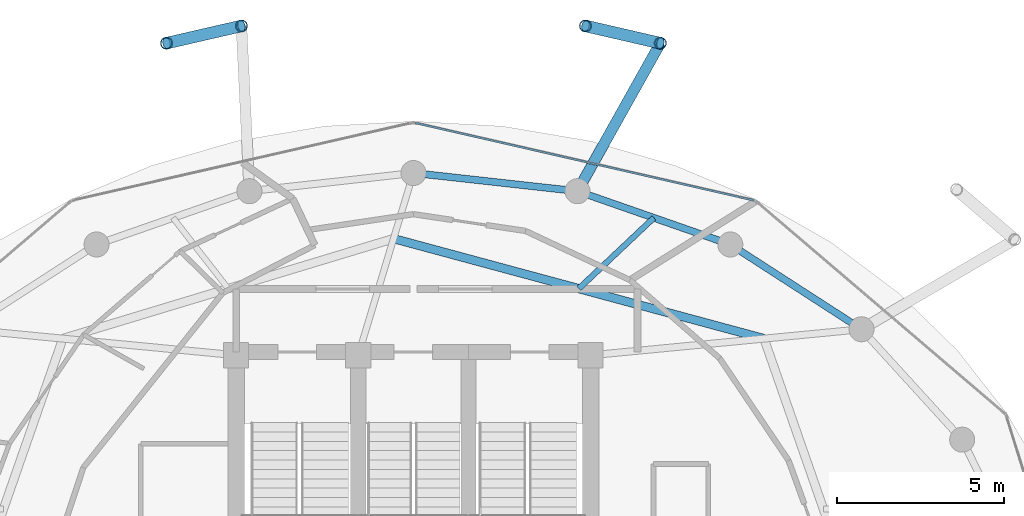
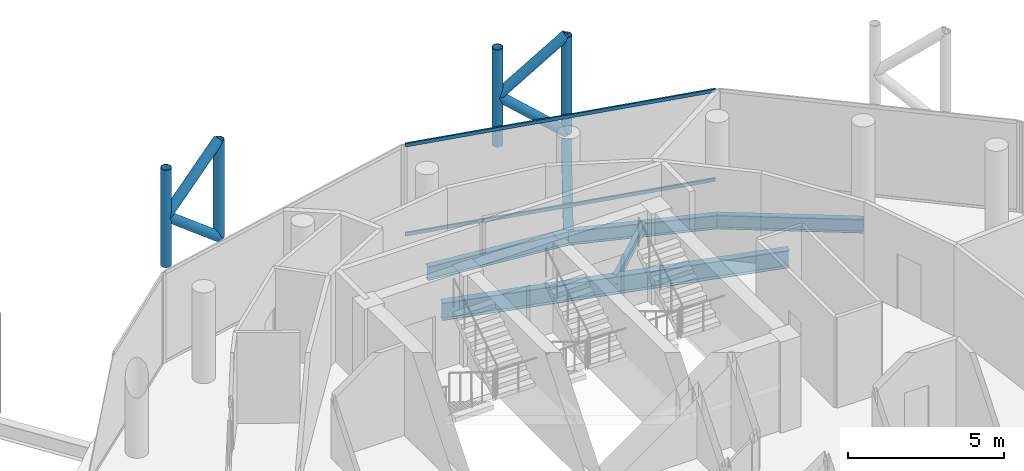
# One storey, part 17 of 24: 10 members, 6 beams, 1 element without a shape of its own.
"""IFC4 building model written with IfcOpenShell, lengths in metres."""

from ifc_helpers import new_model, si_unit, direction, frame, origin, origin_2d, place, context, subcontext, project, spatial, hollow_rectangle, hollow_circle, i_section, extrude, material, layer, layer_set, material_profile, profile_set, type_object, element, aggregate, save


model = new_model("IFC4")

# Units and contexts
model_context = context("Model", 3, precision=1e-05, world=origin(), true_north=direction((0.0, 1.0)))
body_context = subcontext(model_context, "Body", "Model", "MODEL_VIEW")
ifc_project = project(units=[si_unit("LENGTHUNIT", "METRE"), si_unit("AREAUNIT", "SQUARE_METRE"), si_unit("VOLUMEUNIT", "CUBIC_METRE"), si_unit("PLANEANGLEUNIT", "RADIAN"), si_unit("MASSUNIT", "GRAM", prefix="KILO")], contexts=[model_context])

# Site, building, storey
site_placement = place(None, origin())
site = spatial("IfcSite", under=ifc_project, at=site_placement, CompositionType="ELEMENT")
building_placement = place(site_placement, origin())
building = spatial("IfcBuilding", under=site, at=building_placement, Name="Nuhasar Tower", CompositionType="ELEMENT")
storey_placement = place(building_placement, frame((0.0, 0.0, 282.199951171875)))
storey = spatial("IfcBuildingStorey", under=building, at=storey_placement, Name="L70", CompositionType="ELEMENT", Elevation=282.199951171875)

# Beams
ifc_material_1 = material(Name="Steel S355", Category="steel")
ifc_material_profile_1 = material_profile(ifc_material_1, i_section(OverallWidth=0.25390625, OverallDepth=0.68408203125, WebThickness=0.012451171875, FlangeThickness=0.018798828125, at=origin_2d()), Name="W27X94")
ifc_profile_set_1 = profile_set([ifc_material_profile_1], Name="Steel S355")
beam_type_1 = type_object("IfcBeamType", Name="BM-INRING-W27X94", PredefinedType="BEAM", material=ifc_profile_set_1)
beam_1_placement = place(storey_placement, frame((49.48388671875, 37.798095703125, -0.60205078125), z_axis=(-0.965451835482, 0.260581567584, 0.0), x_axis=(-0.260581567584, -0.965451835482, 0.0)))
element("IfcBeam", 1, at=beam_1_placement, inside=storey, type_object=beam_type_1, Name="L70 Inner Header Beam 05", PredefinedType="BEAM", context=body_context, shape_type="SweptSolid", body=[
    extrude(i_section(OverallWidth=0.25390625, OverallDepth=0.68408203125, WebThickness=0.012451171875, FlangeThickness=0.018798828125, at=origin_2d()), origin(), (0.0, 0.0, 1.0), 11.474365234375),
])
ifc_material_profile_2 = material_profile(ifc_material_1, i_section(OverallWidth=0.1708984375, OverallDepth=0.35205078125, WebThickness=0.0068359375, FlangeThickness=0.009765625, at=origin_2d()), Name="W14X30")
ifc_profile_set_2 = profile_set([ifc_material_profile_2], Name="Steel S355")
beam_type_2 = type_object("IfcBeamType", Name="BM-JST-W14X30", PredefinedType="JOIST", material=ifc_profile_set_2)
beam_2_placement = place(storey_placement, frame((43.945068359375, 39.29296875, -0.43603515625), z_axis=(0.727532985224, 0.686072704173, 0.0), x_axis=(-0.686072704173, 0.727532985224, 0.0)))
element("IfcBeam", 2, at=beam_2_placement, inside=storey, type_object=beam_type_2, Name="L70 Secondary Floor Joist 05", PredefinedType="JOIST", context=body_context, shape_type="SweptSolid", body=[
    extrude(i_section(OverallWidth=0.1708984375, OverallDepth=0.35205078125, WebThickness=0.0068359375, FlangeThickness=0.009765625, at=origin_2d()), origin(), (0.0, 0.0, 1.0), 3.085693359375),
])
ifc_material_profile_3 = material_profile(ifc_material_1, i_section(OverallWidth=0.2099609375, OverallDepth=0.537109375, WebThickness=0.010986328125, FlangeThickness=0.017333984375, at=origin_2d()), Name="W21X68")
ifc_profile_set_3 = profile_set([ifc_material_profile_3], Name="Steel S355")
beam_type_3 = type_object("IfcBeamType", Name="BM-RING-W21X68", PredefinedType="SPANDREL", material=ifc_profile_set_3)
beam_3_placement = place(storey_placement, frame((52.39990234375, 38.077880859375, -0.529052734375), z_axis=(-0.840001671147, 0.54258381147, 0.0), x_axis=(-0.54258381147, -0.840001671147, 0.0)))
element("IfcBeam", 3, at=beam_3_placement, inside=storey, type_object=beam_type_3, Name="L70 Perimeter Ring Spandrel 04", PredefinedType="SPANDREL", context=body_context, shape_type="SweptSolid", body=[
    extrude(i_section(OverallWidth=0.2099609375, OverallDepth=0.537109375, WebThickness=0.010986328125, FlangeThickness=0.017333984375, at=origin_2d()), origin(), (0.0, 0.0, 1.0), 4.67236328125),
])
beam_4_placement = place(storey_placement, frame((48.47509765625, 40.613037109375, -0.529052734375), z_axis=(-0.944214043504, 0.329332415729, 0.0), x_axis=(-0.329332415729, -0.944214043504, 0.0)))
element("IfcBeam", 4, at=beam_4_placement, inside=storey, type_object=beam_type_3, Name="L70 Perimeter Ring Spandrel 05", PredefinedType="SPANDREL", context=body_context, shape_type="SweptSolid", body=[
    extrude(i_section(OverallWidth=0.2099609375, OverallDepth=0.537109375, WebThickness=0.010986328125, FlangeThickness=0.017333984375, at=origin_2d()), origin(), (0.0, 0.0, 1.0), 4.840087890625),
])
beam_5_placement = place(storey_placement, frame((43.905029296875, 42.20703125, -0.529052734375), z_axis=(-0.99392889943, 0.110024283128, 0.0), x_axis=(-0.110024283128, -0.99392889943, 0.0)))
element("IfcBeam", 5, at=beam_5_placement, inside=storey, type_object=beam_type_3, Name="L70 Perimeter Ring Spandrel 06", PredefinedType="SPANDREL", context=body_context, shape_type="SweptSolid", body=[
    extrude(i_section(OverallWidth=0.2099609375, OverallDepth=0.537109375, WebThickness=0.010986328125, FlangeThickness=0.017333984375, at=origin_2d()), origin(), (0.0, 0.0, 1.0), 4.93505859375),
])
ifc_material_profile_4 = material_profile(ifc_material_1, i_section(OverallWidth=0.323974609375, OverallDepth=0.611083984375, WebThickness=0.0126953125, FlangeThickness=0.01904296875, at=origin_2d()), Name="W24X104")
ifc_profile_set_4 = profile_set([ifc_material_profile_4], Name="Steel S355")
beam_type_4 = type_object("IfcBeamType", Name="BM-TIE-W24X104", PredefinedType="BEAM", material=ifc_profile_set_4)
beam_6_placement = place(storey_placement, frame((43.905029296875, 42.20703125, -0.56494140625), z_axis=(0.488667847762, 0.872469904675, 0.0), x_axis=(-0.872469904675, 0.488667847762, 0.0)))
element("IfcBeam", 6, at=beam_6_placement, inside=storey, type_object=beam_type_4, Name="L70 Exoskeleton Node Tie Beam 03", PredefinedType="BEAM", context=body_context, shape_type="SweptSolid", body=[
    extrude(i_section(OverallWidth=0.323974609375, OverallDepth=0.611083984375, WebThickness=0.0126953125, FlangeThickness=0.01904296875, at=origin_2d()), origin(), (0.0, 0.0, 1.0), 5.072998046875),
])

# Curtain wall, members
ifc_material_2 = material(Name="Aluminium 6063-T6", Category="aluminium")
ifc_layer = layer(ifc_material_2, 0.18994140625)
ifc_layer_set = layer_set([ifc_layer], Name="Aluminium 6063-T6")
curtain_wall_type = type_object("IfcCurtainWallType", Name="CW-Z4-PEN", PredefinedType="NOTDEFINED", material=ifc_layer_set)
curtain_wall_placement = place(storey_placement, origin())
curtain_wall = element("IfcCurtainWall", 7, at=curtain_wall_placement, inside=storey, type_object=curtain_wall_type, Name="L70 Unitised Curtain Wall 03", PredefinedType="NOTDEFINED")
ifc_material_profile_5 = material_profile(ifc_material_2, hollow_rectangle(XDim=0.06005859375, YDim=0.135009765625, WallThickness=0.00439453125, at=origin_2d()), Name="CWT-5")
ifc_profile_set_5 = profile_set([ifc_material_profile_5], Name="Aluminium 6063-T6")
member_type_1 = type_object("IfcMemberType", Name="CW-TRN-S5", PredefinedType="USERDEFINED", material=ifc_profile_set_5)
member_1_placement = place(storey_placement, frame((49.171630859375, 41.934326171875, 0.030029296875), z_axis=(-0.974843752401, 0.222889341163, 0.0), x_axis=(-0.222889341163, -0.974843752401, 0.0)))
member_1 = element("IfcMember", 8, at=member_1_placement, type_object=member_type_1, Name="CW-Z4 transom 1.1", ObjectType="TRANSOM", PredefinedType="USERDEFINED", context=body_context, shape_type="SweptSolid", body=[
    extrude(hollow_rectangle(XDim=0.06005859375, YDim=0.135009765625, WallThickness=0.00439453125, at=origin_2d()), origin(), (0.0, 0.0, 1.0), 10.3740234375),
])
member_2_placement = place(storey_placement, frame((49.171630859375, 41.934326171875, 3.510009765625), z_axis=(-0.974843752401, 0.222889341163, 0.0), x_axis=(-0.222889341163, -0.974843752401, 0.0)))
member_2 = element("IfcMember", 9, at=member_2_placement, type_object=member_type_1, Name="CW-Z4 transom 1.2", ObjectType="TRANSOM", PredefinedType="USERDEFINED", context=body_context, shape_type="SweptSolid", body=[
    extrude(hollow_rectangle(XDim=0.06005859375, YDim=0.135009765625, WallThickness=0.00439453125, at=origin_2d()), origin(), (0.0, 0.0, 1.0), 10.3740234375),
])
aggregate(curtain_wall, [member_1, member_2])

# Members
ifc_material_3 = material(Name="Steel S460", Category="steel")
ifc_material_profile_6 = material_profile(ifc_material_3, hollow_circle(Radius=0.177734375, WallThickness=0.015869140625, at=origin_2d()), Name="HSS355.6X15.9")
ifc_profile_set_6 = profile_set([ifc_material_profile_6], Name="Steel S460")
member_type_2 = type_object("IfcMemberType", Name="EXO-BRONZE-356", PredefinedType="BRACE", material=ifc_profile_set_6)
for number, where, z_axis, x_axis, name in (
    (10, (46.384033203125, 46.633056640625, 0.0), (0.0, 0.0, 1.0), (1.0, 0.0, 0.0), "L70 Exoskeleton Chord Column EC-03A"),
    (11, (44.14306640625, 47.14892578125, 0.0), (0.0, 0.0, 1.0), (1.0, 0.0, 0.0), "L70 Exoskeleton Chord Column EC-03B"),
    (12, (33.85693359375, 47.14892578125, 0.0), (0.0, 0.0, 1.0), (1.0, 0.0, 0.0), "L70 Exoskeleton Chord Column EC-04A"),
    (13, (31.615966796875, 46.633056640625, 0.0), (0.0, 0.0, 1.0), (1.0, 0.0, 0.0), "L70 Exoskeleton Chord Column EC-04B"),
):
    element("IfcMember", number, at=place(storey_placement, frame(where, z_axis=z_axis, x_axis=x_axis)), inside=storey, type_object=member_type_2, Name=name, PredefinedType="BRACE", context=body_context, shape_type="SweptSolid", body=[
        extrude(hollow_circle(Radius=0.177734375, WallThickness=0.015869140625, at=origin_2d()), origin(), (0.0, 0.0, 1.0), 3.800048828125),
    ])
member_3_placement = place(storey_placement, frame((46.384033203125, 46.633056640625, 0.0), z_axis=(-0.751232450652, 0.172933235454, 0.636980298881), x_axis=(-0.224332214284, -0.974512728308, 0.0)))
element("IfcMember", 14, at=member_3_placement, inside=storey, type_object=member_type_2, Name="L70 Bronze Diagrid Brace W1-03", PredefinedType="BRACE", context=body_context, shape_type="SweptSolid", body=[
    extrude(hollow_circle(Radius=0.177734375, WallThickness=0.015869140625, at=origin_2d()), origin(), (0.0, 0.0, 1.0), 2.983154296875),
])
member_4_placement = place(storey_placement, frame((44.14306640625, 47.14892578125, 1.900146484375), z_axis=(0.751271614502, -0.172942250947, 0.636931659663), x_axis=(0.224332214284, 0.974512728308, 0.0)))
element("IfcMember", 15, at=member_4_placement, inside=storey, type_object=member_type_2, Name="L70 Bronze Diagrid Brace W2-03", PredefinedType="BRACE", context=body_context, shape_type="SweptSolid", body=[
    extrude(hollow_circle(Radius=0.177734375, WallThickness=0.015869140625, at=origin_2d()), origin(), (0.0, 0.0, 1.0), 2.98291015625),
])
member_5_placement = place(storey_placement, frame((33.85693359375, 47.14892578125, 0.0), z_axis=(-0.751232450652, -0.172933235454, 0.636980298881), x_axis=(0.224332214284, -0.974512728308, 0.0)))
element("IfcMember", 16, at=member_5_placement, inside=storey, type_object=member_type_2, Name="L70 Bronze Diagrid Brace W1-04", PredefinedType="BRACE", context=body_context, shape_type="SweptSolid", body=[
    extrude(hollow_circle(Radius=0.177734375, WallThickness=0.015869140625, at=origin_2d()), origin(), (0.0, 0.0, 1.0), 2.983154296875),
])
member_6_placement = place(storey_placement, frame((31.615966796875, 46.633056640625, 1.900146484375), z_axis=(0.751271614502, 0.172942250947, 0.636931659663), x_axis=(-0.224332214284, 0.974512728308, 0.0)))
element("IfcMember", 17, at=member_6_placement, inside=storey, type_object=member_type_2, Name="L70 Bronze Diagrid Brace W2-04", PredefinedType="BRACE", context=body_context, shape_type="SweptSolid", body=[
    extrude(hollow_circle(Radius=0.177734375, WallThickness=0.015869140625, at=origin_2d()), origin(), (0.0, 0.0, 1.0), 2.98291015625),
])

save(model, "model.ifc")
